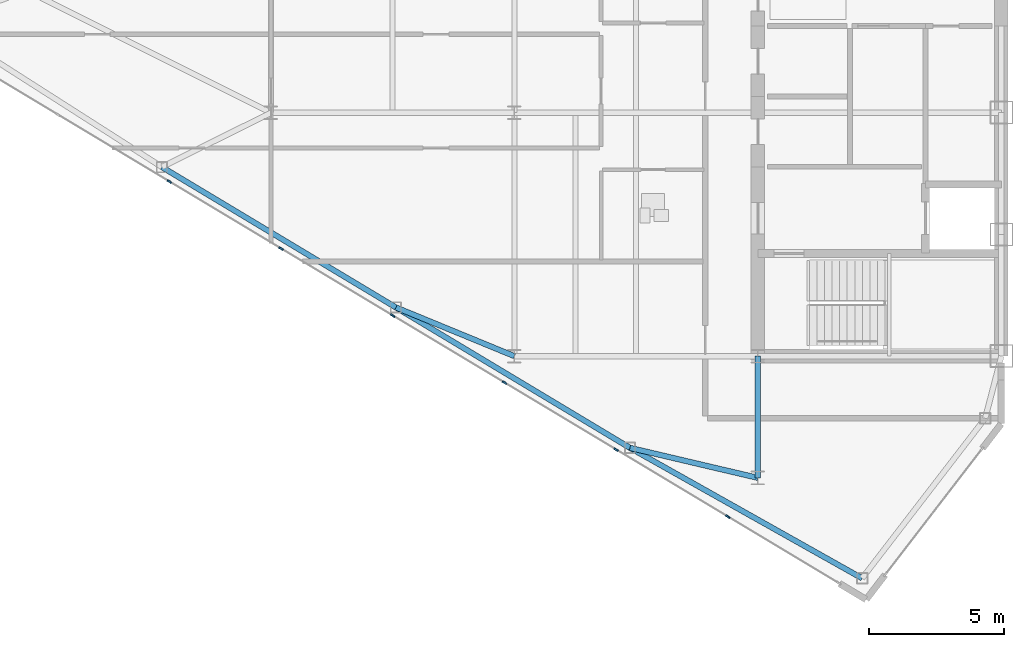
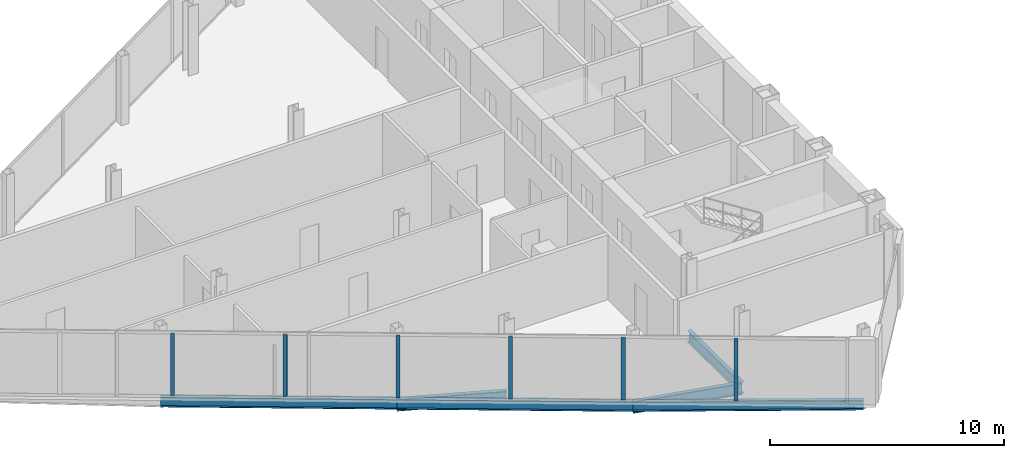
# One storey, part 5 of 25: 6 beams, 6 members, 1 element without a shape of its own.
"""IFC4 building model written with IfcOpenShell, lengths in metres."""

from ifc_helpers import new_model, si_unit, direction, frame, origin, origin_2d, place, context, subcontext, project, spatial, rectangle, i_section, extrude, source, transform, mapped, material, layer, layer_set, material_profile, profile_set, type_object, type_shapes, element, aggregate, save


model = new_model("IFC4")

# Units and contexts
model_context = context("Model", 3, precision=1e-05, world=origin(), true_north=direction((0.0, 1.0)))
body_context = subcontext(model_context, "Body", "Model", "MODEL_VIEW")
ifc_project = project(units=[si_unit("LENGTHUNIT", "METRE"), si_unit("AREAUNIT", "SQUARE_METRE"), si_unit("VOLUMEUNIT", "CUBIC_METRE"), si_unit("PLANEANGLEUNIT", "RADIAN"), si_unit("MASSUNIT", "GRAM", prefix="KILO")], contexts=[model_context])

# Site, building, storey
site_placement = place(None, origin())
site = spatial("IfcSite", under=ifc_project, at=site_placement, CompositionType="ELEMENT")
building_placement = place(site_placement, origin())
building = spatial("IfcBuilding", under=site, at=building_placement, Name="Seokmaru Belvedere", CompositionType="ELEMENT")
storey_placement = place(building_placement, frame((0.0, 0.0, 210.300048828125)))
storey = spatial("IfcBuildingStorey", under=building, at=storey_placement, Name="L56", CompositionType="ELEMENT", Elevation=210.300048828125)

# Beams
ifc_material_1 = material(Name="Steel SM355 (355 MPa)", Category="steel")
ifc_material_profile_1 = material_profile(ifc_material_1, i_section(OverallWidth=0.199951171875, OverallDepth=0.60009765625, WebThickness=0.010986328125, FlangeThickness=0.01708984375, at=origin_2d()), Name="H-600x200x11x17")
ifc_profile_set_1 = profile_set([ifc_material_profile_1], Name="Steel SM355 (355 MPa)")
beam_type_1 = type_object("IfcBeamType", Name="Primary Floor Girder H-600", PredefinedType="BEAM", material=ifc_profile_set_1)
shared_shape_1 = source(origin(), body_context, "Body", "SweptSolid", [
    extrude(i_section(OverallWidth=0.199951171875, OverallDepth=0.60009765625, WebThickness=0.010986328125, FlangeThickness=0.01708984375, at=origin_2d()), origin(), (0.0, 0.0, 1.0), 4.5),
])
beam_1_placement = place(storey_placement, frame((-36.5, -18.0, -0.52001953125), z_axis=(0.0, 1.0, 0.0), x_axis=(-1.0, 0.0, 0.0)))
element("IfcBeam", 1, at=beam_1_placement, inside=storey, type_object=beam_type_1, Name="L56 W Core Shoulder Girder S", PredefinedType="BEAM", context=body_context, shape_type="MappedRepresentation", body=[
    mapped(shared_shape_1, transform((0.0, 0.0, 0.0), scale=1.0)),
])
ifc_material_profile_2 = material_profile(ifc_material_1, i_section(OverallWidth=0.199951171875, OverallDepth=0.5, WebThickness=0.010009765625, FlangeThickness=0.01611328125, at=origin_2d()), Name="H-500x200x10x16")
ifc_profile_set_2 = profile_set([ifc_material_profile_2], Name="Steel SM355 (355 MPa)")
beam_type_2 = type_object("IfcBeamType", Name="Perimeter Spandrel Beam H-500", PredefinedType="SPANDREL", material=ifc_profile_set_2)
shared_shape_2 = source(origin(), body_context, "Body", "SweptSolid", [
    extrude(i_section(OverallWidth=0.199951171875, OverallDepth=0.5, WebThickness=0.010009765625, FlangeThickness=0.01611328125, at=origin_2d()), origin(), (0.0, 0.0, 1.0), 9.842041015625),
])
beam_2_placement = place(storey_placement, frame((-32.649658203125, -21.71044921875, -0.469970703125), z_axis=(-0.871782151818, 0.489893743349, 0.0), x_axis=(-0.489893743349, -0.871782151818, 0.0)))
element("IfcBeam", 2, at=beam_2_placement, inside=storey, type_object=beam_type_2, Name="L56 W Faceted Flank Spandrel S-1", PredefinedType="SPANDREL", context=body_context, shape_type="MappedRepresentation", body=[
    mapped(shared_shape_2, transform((0.0, 0.0, 0.0), scale=1.0)),
])
shared_shape_3 = source(origin(), body_context, "Body", "SweptSolid", [
    extrude(i_section(OverallWidth=0.199951171875, OverallDepth=0.5, WebThickness=0.010009765625, FlangeThickness=0.01611328125, at=origin_2d()), origin(), (0.0, 0.0, 1.0), 10.087646484375),
])
type_shapes(beam_type_2, [shared_shape_2, shared_shape_3])
for number, where, z_axis, x_axis, name in (
    (3, (-41.229736328125, -16.888916015625, -0.469970703125), (-0.857499332045, 0.514485078056, 0.0), (-0.514485078056, -0.857499332045, 0.0), "L56 W Faceted Flank Spandrel S-2"),
    (4, (-49.8798828125, -11.698974609375, -0.469970703125), (-0.857488654804, 0.514502873542, 0.0), (-0.514502873542, -0.857488654804, 0.0), "L56 W Faceted Flank Spandrel S-3"),
):
    element("IfcBeam", number, at=place(storey_placement, frame(where, z_axis=z_axis, x_axis=x_axis)), inside=storey, type_object=beam_type_2, Name=name, PredefinedType="SPANDREL", context=body_context, shape_type="MappedRepresentation", body=[
        mapped(shared_shape_3, transform((0.0, 0.0, 0.0), scale=1.0)),
    ])
shared_shape_4 = source(origin(), body_context, "Body", "SweptSolid", [
    extrude(i_section(OverallWidth=0.199951171875, OverallDepth=0.60009765625, WebThickness=0.010986328125, FlangeThickness=0.01708984375, at=origin_2d()), origin(), (0.0, 0.0, 1.0), 4.8583984375),
])
beam_3_placement = place(storey_placement, frame((-41.229736328125, -16.888916015625, -0.52001953125), z_axis=(0.97349948295, -0.228689214211, 0.0), x_axis=(0.228689214211, 0.97349948295, 0.0)))
element("IfcBeam", 5, at=beam_3_placement, inside=storey, type_object=beam_type_1, Name="L56 W Flank Radial Floor Girder S-1", PredefinedType="BEAM", context=body_context, shape_type="MappedRepresentation", body=[
    mapped(shared_shape_4, transform((0.0, 0.0, 0.0), scale=1.0)),
])
shared_shape_5 = source(origin(), body_context, "Body", "SweptSolid", [
    extrude(i_section(OverallWidth=0.199951171875, OverallDepth=0.60009765625, WebThickness=0.010986328125, FlangeThickness=0.01708984375, at=origin_2d()), origin(), (0.0, 0.0, 1.0), 4.73583984375),
])
type_shapes(beam_type_1, [shared_shape_1, shared_shape_4, shared_shape_5])
beam_4_placement = place(storey_placement, frame((-49.8798828125, -11.698974609375, -0.52001953125), z_axis=(0.924860562953, -0.380306375301, 0.0), x_axis=(0.380306375301, 0.924860562953, 0.0)))
element("IfcBeam", 6, at=beam_4_placement, inside=storey, type_object=beam_type_1, Name="L56 W Flank Radial Floor Girder S-2", PredefinedType="BEAM", context=body_context, shape_type="MappedRepresentation", body=[
    mapped(shared_shape_5, transform((0.0, 0.0, 0.0), scale=1.0)),
])

# Curtain wall, members
ifc_material_2 = material(Name="Bronze Triple Insulating Glass", Category="glass")
ifc_layer = layer(ifc_material_2, 0.179931640625)
ifc_layer_set = layer_set([ifc_layer], Name="Bronze Triple Insulating Glass")
curtain_wall_type = type_object("IfcCurtainWallType", Name="High-Rise Wind-Corner Curtain Wall System CW-5", PredefinedType="NOTDEFINED", material=ifc_layer_set)
curtain_wall_placement = place(storey_placement, origin())
curtain_wall = element("IfcCurtainWall", 7, at=curtain_wall_placement, inside=storey, type_object=curtain_wall_type, Name="L56 Curtain Wall WF5", PredefinedType="NOTDEFINED")
ifc_material_3 = material(Name="Anodised Bronze Aluminium", Category="aluminium")
ifc_material_profile_3 = material_profile(ifc_material_3, rectangle(XDim=0.06494140625, YDim=0.179931640625, at=origin_2d()), Name="CW-M-65x180")
ifc_profile_set_3 = profile_set([ifc_material_profile_3], Name="Anodised Bronze Aluminium")
member_type = type_object("IfcMemberType", Name="Bronze Unitised Mullion 65x180", PredefinedType="MULLION", material=ifc_profile_set_3)
shared_shape_6 = source(origin(), body_context, "Body", "SweptSolid", [
    extrude(rectangle(XDim=0.06494140625, YDim=0.179931640625, at=origin_2d()), origin(), (0.0, 0.0, 1.0), 3.25),
])
type_shapes(member_type, [shared_shape_6])
member_1_placement = place(storey_placement, frame((-58.257080078125, -7.0458984375, 0.06494140625), z_axis=(0.0, 0.0, 1.0), x_axis=(0.514494909364, 0.85749343335, 0.0)))
member_1 = element("IfcMember", 8, at=member_1_placement, type_object=member_type, Name="CW:L56:WF5 Mullion 3", PredefinedType="MULLION", context=body_context, shape_type="MappedRepresentation", body=[
    mapped(shared_shape_6, transform((0.0, 0.0, 0.0), scale=1.0)),
])
member_2_placement = place(storey_placement, frame((-54.12841796875, -9.52294921875, 0.06494140625), z_axis=(0.0, 0.0, 1.0), x_axis=(0.514494909364, 0.85749343335, 0.0)))
member_2 = element("IfcMember", 9, at=member_2_placement, type_object=member_type, Name="CW:L56:WF5 Mullion 4", PredefinedType="MULLION", context=body_context, shape_type="MappedRepresentation", body=[
    mapped(shared_shape_6, transform((0.0, 0.0, 0.0), scale=1.0)),
])
member_3_placement = place(storey_placement, frame((-50.0, -12.0, 0.06494140625), z_axis=(0.0, 0.0, 1.0), x_axis=(0.514494909364, 0.85749343335, 0.0)))
member_3 = element("IfcMember", 10, at=member_3_placement, type_object=member_type, Name="CW:L56:WF5 Mullion 5", PredefinedType="MULLION", context=body_context, shape_type="MappedRepresentation", body=[
    mapped(shared_shape_6, transform((0.0, 0.0, 0.0), scale=1.0)),
])
member_4_placement = place(storey_placement, frame((-45.87158203125, -14.47705078125, 0.06494140625), z_axis=(0.0, 0.0, 1.0), x_axis=(0.514494909364, 0.85749343335, 0.0)))
member_4 = element("IfcMember", 11, at=member_4_placement, type_object=member_type, Name="CW:L56:WF5 Mullion 6", PredefinedType="MULLION", context=body_context, shape_type="MappedRepresentation", body=[
    mapped(shared_shape_6, transform((0.0, 0.0, 0.0), scale=1.0)),
])
member_5_placement = place(storey_placement, frame((-41.742919921875, -16.9541015625, 0.06494140625), z_axis=(0.0, 0.0, 1.0), x_axis=(0.514494909364, 0.85749343335, 0.0)))
member_5 = element("IfcMember", 12, at=member_5_placement, type_object=member_type, Name="CW:L56:WF5 Mullion 7", PredefinedType="MULLION", context=body_context, shape_type="MappedRepresentation", body=[
    mapped(shared_shape_6, transform((0.0, 0.0, 0.0), scale=1.0)),
])
member_6_placement = place(storey_placement, frame((-37.614501953125, -19.43115234375, 0.06494140625), z_axis=(0.0, 0.0, 1.0), x_axis=(0.514494909364, 0.85749343335, 0.0)))
member_6 = element("IfcMember", 13, at=member_6_placement, type_object=member_type, Name="CW:L56:WF5 Mullion 8", PredefinedType="MULLION", context=body_context, shape_type="MappedRepresentation", body=[
    mapped(shared_shape_6, transform((0.0, 0.0, 0.0), scale=1.0)),
])
aggregate(curtain_wall, [member_1, member_2, member_3, member_4, member_5, member_6])

save(model, "model.ifc")
